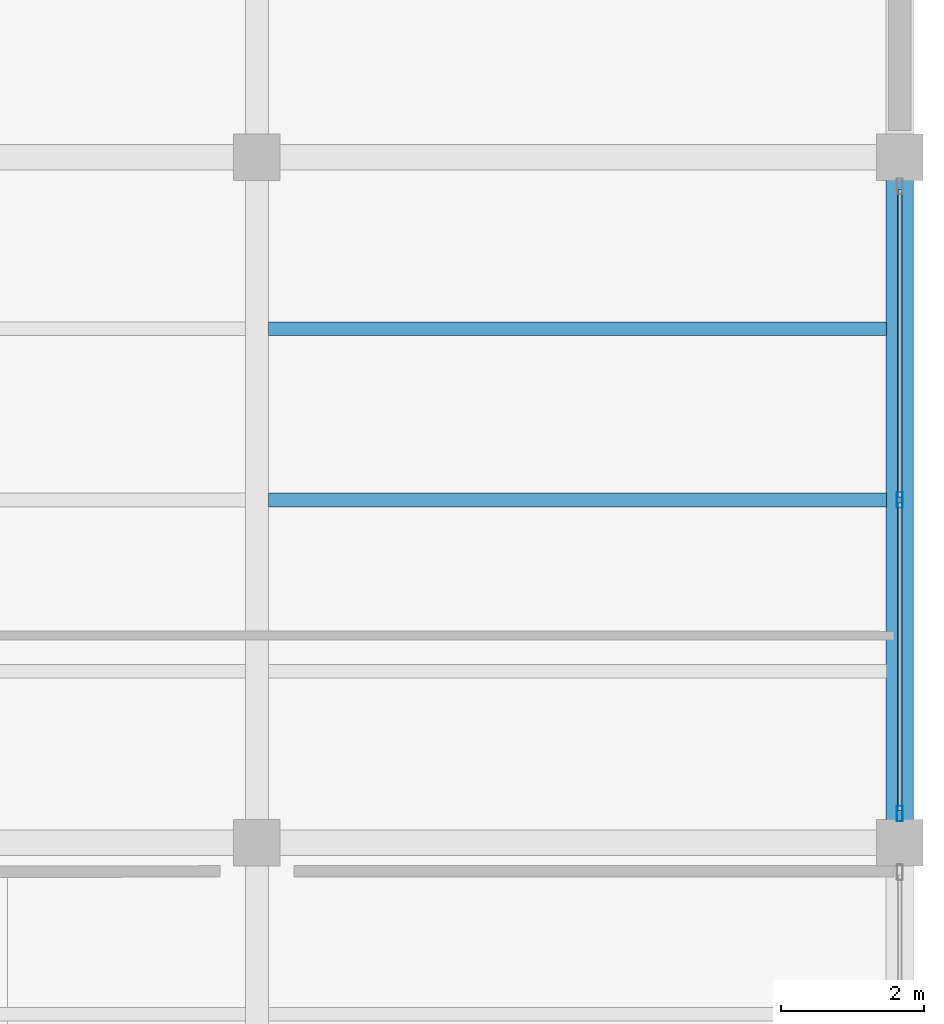
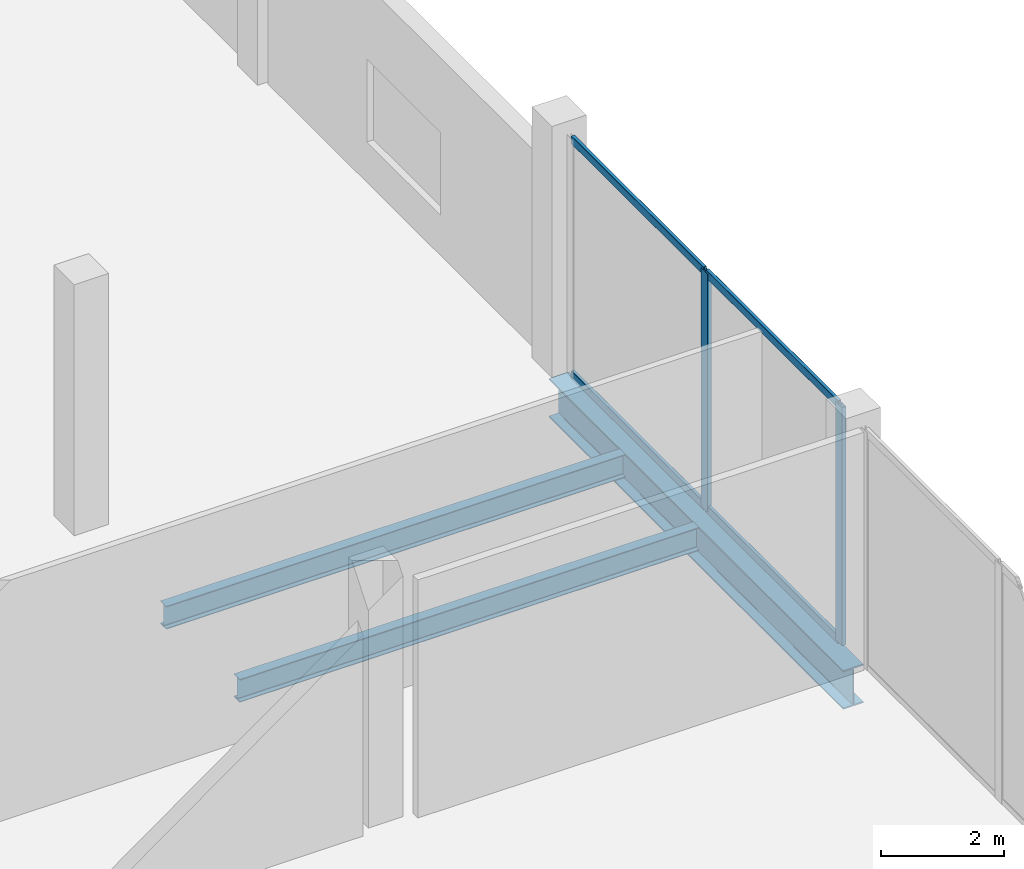
# One storey, part 22 of 46: 6 members, 3 beams, 1 element without a shape of its own.
"""IFC4 building model written with IfcOpenShell, lengths in metres."""

from ifc_helpers import new_model, si_unit, direction, frame, origin, origin_2d, place, context, subcontext, project, spatial, hollow_rectangle, i_section, extrude, material, layer, layer_set, material_profile, profile_set, type_object, element, aggregate, save


model = new_model("IFC4")

# Units and contexts
model_context = context("Model", 3, precision=1e-05, world=origin(), true_north=direction((0.0, 1.0)))
body_context = subcontext(model_context, "Body", "Model", "MODEL_VIEW")
ifc_project = project(units=[si_unit("LENGTHUNIT", "METRE"), si_unit("AREAUNIT", "SQUARE_METRE"), si_unit("VOLUMEUNIT", "CUBIC_METRE"), si_unit("PLANEANGLEUNIT", "RADIAN"), si_unit("MASSUNIT", "GRAM", prefix="KILO")], contexts=[model_context])

# Site, building, storey
site_placement = place(None, origin())
site = spatial("IfcSite", under=ifc_project, at=site_placement, CompositionType="ELEMENT")
building_placement = place(site_placement, origin())
building = spatial("IfcBuilding", under=site, at=building_placement, Name="Qorvath Tower", CompositionType="ELEMENT")
storey_placement = place(building_placement, frame((0.0, 0.0, 17.0)))
storey = spatial("IfcBuildingStorey", under=building, at=storey_placement, Name="L03", CompositionType="ELEMENT", Elevation=17.0)

# Beams
ifc_material_1 = material(Name="Steel ASTM A992 Grade 50", Category="steel")
ifc_material_profile_1 = material_profile(ifc_material_1, i_section(OverallWidth=0.381103515625, OverallDepth=0.77294921875, WebThickness=0.0166015625, FlangeThickness=0.027099609375, FilletRadius=0.01904296875, at=origin_2d()), Name="W30x173")
ifc_profile_set_1 = profile_set([ifc_material_profile_1], Name="Steel ASTM A992 Grade 50")
beam_type_1 = type_object("IfcBeamType", Name="BM-FG3", PredefinedType="BEAM", material=ifc_profile_set_1)
beam_placement = place(storey_placement, frame((77.39990234375, 9.60009765625, -0.646484375), z_axis=(0.0, 1.0, 0.0), x_axis=(-1.0, 0.0, 0.0)))
element("IfcBeam", 1, at=beam_placement, inside=storey, type_object=beam_type_1, Name="Library N-S Girder L03-6-6", PredefinedType="BEAM", context=body_context, shape_type="SweptSolid", body=[
    extrude(i_section(OverallWidth=0.381103515625, OverallDepth=0.77294921875, WebThickness=0.0166015625, FlangeThickness=0.027099609375, FilletRadius=0.01904296875, at=origin_2d()), origin(), (0.0, 0.0, 1.0), 9.599853515625),
])
ifc_material_2 = material(Name="Steel ASTM A992 Grade 50", Category="steel")
ifc_material_profile_2 = material_profile(ifc_material_2, i_section(OverallWidth=0.18994140625, OverallDepth=0.45703125, WebThickness=0.009033203125, FlangeThickness=0.014404296875, FilletRadius=0.011962890625, at=origin_2d()), Name="W18x50")
ifc_profile_set_2 = profile_set([ifc_material_profile_2], Name="Steel ASTM A992 Grade 50")
beam_type_2 = type_object("IfcBeamType", Name="BM-FJ2", PredefinedType="JOIST", material=ifc_profile_set_2)
for number, where, z_axis, x_axis, name in (
    (2, (68.560546875, 14.39990234375, -0.488525390625), (1.0, 0.0, 0.0), (0.0, 1.0, 0.0), "Library Stack Joist L03-6.2-5"),
    (3, (68.560546875, 16.800048828125, -0.488525390625), (1.0, 0.0, 0.0), (0.0, 1.0, 0.0), "Library Stack Joist L03-6.3-5"),
):
    element("IfcBeam", number, at=place(storey_placement, frame(where, z_axis=z_axis, x_axis=x_axis)), inside=storey, type_object=beam_type_2, Name=name, PredefinedType="JOIST", context=body_context, shape_type="SweptSolid", body=[
        extrude(i_section(OverallWidth=0.18994140625, OverallDepth=0.45703125, WebThickness=0.009033203125, FlangeThickness=0.014404296875, FilletRadius=0.011962890625, at=origin_2d()), origin(), (0.0, 0.0, 1.0), 8.65087890625),
    ])

# Curtain wall, members
ifc_material_3 = material(Name="Anodised aluminium and triple low-E glass", Category="aluminium")
ifc_layer = layer(ifc_material_3, 0.179931640625)
ifc_layer_set = layer_set([ifc_layer], Name="CW-SYS-6")
curtain_wall_type = type_object("IfcCurtainWallType", Name="CW-SYS-6", PredefinedType="NOTDEFINED", material=ifc_layer_set)
curtain_wall_placement = place(storey_placement, origin())
curtain_wall = element("IfcCurtainWall", 4, at=curtain_wall_placement, inside=storey, type_object=curtain_wall_type, Name="Curtain Wall CW-6 CW-LIB-E-L03-6", PredefinedType="NOTDEFINED")
ifc_material_4 = material(Name="Anodised aluminium 6063-T6", Category="aluminium")
ifc_material_profile_3 = material_profile(ifc_material_4, hollow_rectangle(XDim=0.080078125, YDim=0.219970703125, WallThickness=0.00439453125, InnerFilletRadius=0.00439453125, OuterFilletRadius=0.009033203125, at=origin_2d()), Name="CWM LIB 220x80")
ifc_profile_set_3 = profile_set([ifc_material_profile_3], Name="Anodised aluminium 6063-T6")
member_type_1 = type_object("IfcMemberType", Name="CWM-LIB", PredefinedType="MULLION", material=ifc_profile_set_3)
member_1_placement = place(storey_placement, frame((77.39990234375, 10.010009765625, 0.0), z_axis=(0.0, 0.0, 1.0), x_axis=(-1.0, 0.0, 0.0)))
member_1 = element("IfcMember", 5, at=member_1_placement, type_object=member_type_1, Name="CW-6 mullion 1", PredefinedType="MULLION", context=body_context, shape_type="SweptSolid", body=[
    extrude(hollow_rectangle(XDim=0.080078125, YDim=0.219970703125, WallThickness=0.00439453125, InnerFilletRadius=0.00439453125, OuterFilletRadius=0.009033203125, at=origin_2d()), origin(), (0.0, 0.0, 1.0), 4.739990234375),
])
member_2_placement = place(storey_placement, frame((77.39990234375, 14.400146484375, 0.0), z_axis=(0.0, 0.0, 1.0), x_axis=(-1.0, 0.0, 0.0)))
member_2 = element("IfcMember", 6, at=member_2_placement, type_object=member_type_1, Name="CW-6 mullion 2", PredefinedType="MULLION", context=body_context, shape_type="SweptSolid", body=[
    extrude(hollow_rectangle(XDim=0.080078125, YDim=0.219970703125, WallThickness=0.00439453125, InnerFilletRadius=0.00439453125, OuterFilletRadius=0.009033203125, at=origin_2d()), origin(), (0.0, 0.0, 1.0), 4.739990234375),
])
ifc_material_5 = material(Name="Anodised aluminium 6063-T6", Category="aluminium")
ifc_material_profile_4 = material_profile(ifc_material_5, hollow_rectangle(XDim=0.06494140625, YDim=0.159912109375, WallThickness=0.00341796875, InnerFilletRadius=0.00341796875, OuterFilletRadius=0.007080078125, at=origin_2d()), Name="CWT 160x65")
ifc_profile_set_4 = profile_set([ifc_material_profile_4], Name="Anodised aluminium 6063-T6")
member_type_2 = type_object("IfcMemberType", Name="CWT-160", PredefinedType="USERDEFINED", material=ifc_profile_set_4)
member_3_placement = place(storey_placement, frame((77.39990234375, 10.050048828125, 0.032470703125), z_axis=(0.0, 1.0, 0.0), x_axis=(-1.0, 0.0, 0.0)))
member_3 = element("IfcMember", 7, at=member_3_placement, type_object=member_type_2, Name="CW-6 transom 1.1", ObjectType="TRANSOM", PredefinedType="USERDEFINED", context=body_context, shape_type="SweptSolid", body=[
    extrude(hollow_rectangle(XDim=0.06494140625, YDim=0.159912109375, WallThickness=0.00341796875, InnerFilletRadius=0.00341796875, OuterFilletRadius=0.007080078125, at=origin_2d()), origin(), (0.0, 0.0, 1.0), 4.31005859375),
])
member_4_placement = place(storey_placement, frame((77.39990234375, 10.050048828125, 4.70751953125), z_axis=(0.0, 1.0, 0.0), x_axis=(-1.0, 0.0, 0.0)))
member_4 = element("IfcMember", 8, at=member_4_placement, type_object=member_type_2, Name="CW-6 transom 1.2", ObjectType="TRANSOM", PredefinedType="USERDEFINED", context=body_context, shape_type="SweptSolid", body=[
    extrude(hollow_rectangle(XDim=0.06494140625, YDim=0.159912109375, WallThickness=0.00341796875, InnerFilletRadius=0.00341796875, OuterFilletRadius=0.007080078125, at=origin_2d()), origin(), (0.0, 0.0, 1.0), 4.31005859375),
])
member_5_placement = place(storey_placement, frame((77.39990234375, 14.43994140625, 0.032470703125), z_axis=(0.0, 1.0, 0.0), x_axis=(-1.0, 0.0, 0.0)))
member_5 = element("IfcMember", 9, at=member_5_placement, type_object=member_type_2, Name="CW-6 transom 2.1", ObjectType="TRANSOM", PredefinedType="USERDEFINED", context=body_context, shape_type="SweptSolid", body=[
    extrude(hollow_rectangle(XDim=0.06494140625, YDim=0.159912109375, WallThickness=0.00341796875, InnerFilletRadius=0.00341796875, OuterFilletRadius=0.007080078125, at=origin_2d()), origin(), (0.0, 0.0, 1.0), 4.31005859375),
])
member_6_placement = place(storey_placement, frame((77.39990234375, 14.43994140625, 4.70751953125), z_axis=(0.0, 1.0, 0.0), x_axis=(-1.0, 0.0, 0.0)))
member_6 = element("IfcMember", 10, at=member_6_placement, type_object=member_type_2, Name="CW-6 transom 2.2", ObjectType="TRANSOM", PredefinedType="USERDEFINED", context=body_context, shape_type="SweptSolid", body=[
    extrude(hollow_rectangle(XDim=0.06494140625, YDim=0.159912109375, WallThickness=0.00341796875, InnerFilletRadius=0.00341796875, OuterFilletRadius=0.007080078125, at=origin_2d()), origin(), (0.0, 0.0, 1.0), 4.31005859375),
])
aggregate(curtain_wall, [member_1, member_2, member_3, member_4, member_5, member_6])

save(model, "model.ifc")
